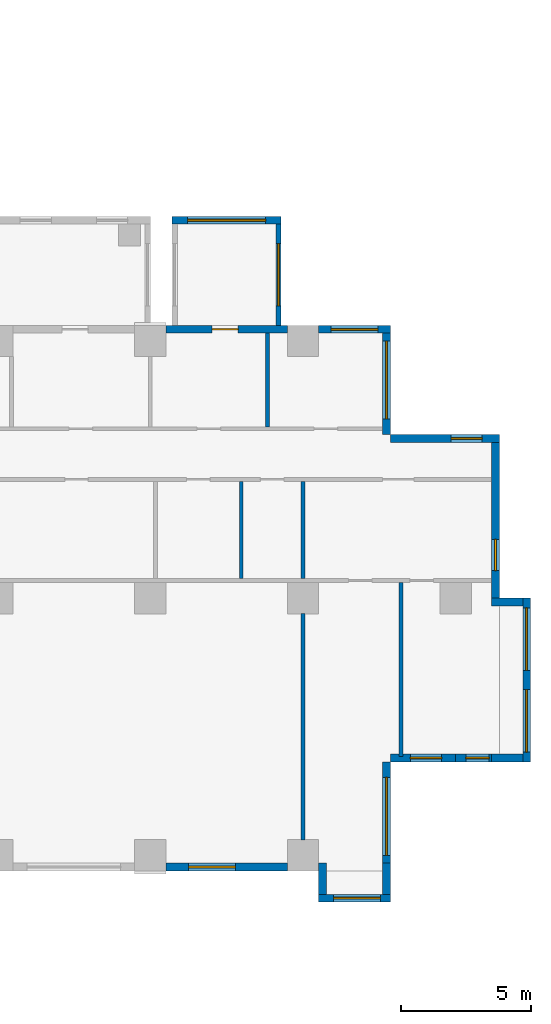
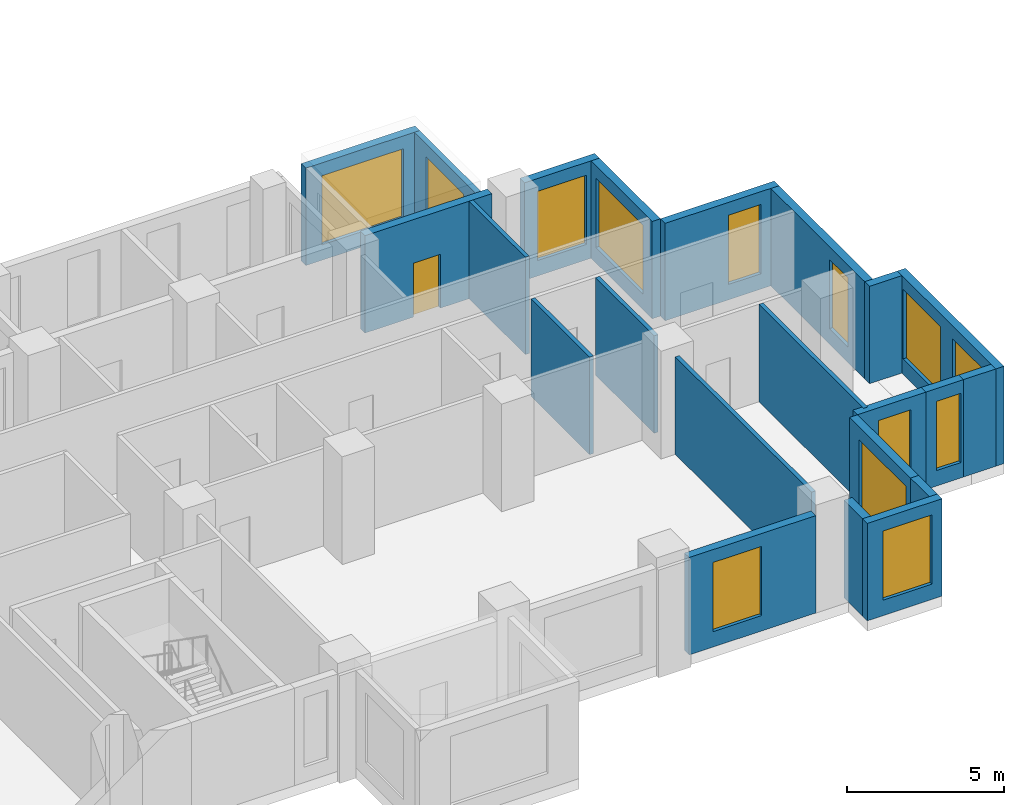
# One storey, part 9 of 14: 22 walls, 13 windows, 1 door, 14 openings.
"""IFC4 building model written with IfcOpenShell, lengths in metres."""

from ifc_helpers import new_model, si_unit, direction, frame, frame_2d, origin, place, context, subcontext, project, spatial, rectangle, extrude, source, transform, mapped, material, layer, layer_set, type_object, element, fill, save


model = new_model("IFC4")

# Units and contexts
model_context = context("Model", 3, precision=1e-05, world=origin(), true_north=direction((0.0, 1.0)))
body_context = subcontext(model_context, "Body", "Model", "MODEL_VIEW")
ifc_project = project(units=[si_unit("LENGTHUNIT", "METRE"), si_unit("AREAUNIT", "SQUARE_METRE"), si_unit("VOLUMEUNIT", "CUBIC_METRE"), si_unit("PLANEANGLEUNIT", "RADIAN"), si_unit("MASSUNIT", "GRAM", prefix="KILO")], contexts=[model_context])

# Site, building, storey
site_placement = place(None, origin())
site = spatial("IfcSite", under=ifc_project, at=site_placement, CompositionType="ELEMENT")
building_placement = place(site_placement, origin())
building = spatial("IfcBuilding", under=site, at=building_placement, Name="Aurelian Terraces", CompositionType="ELEMENT")
storey_placement = place(building_placement, frame((0.0, 0.0, 78.3)))
storey = spatial("IfcBuildingStorey", under=building, at=storey_placement, Name="L16", CompositionType="ELEMENT", Elevation=78.3)

# Wall, opening, window
ifc_material_1 = material(Name="Terracotta rainscreen cladding", Category="masonry")
ifc_layer_1 = layer(ifc_material_1, 0.3)
ifc_layer_set_1 = layer_set([ifc_layer_1], Name="EW-300")
wall_type_1 = type_object("IfcWallType", Name="EW-300", PredefinedType="STANDARD", material=ifc_layer_set_1)
shared_shape_1 = source(origin(), body_context, "Body", "SweptSolid", [
    extrude(rectangle(XDim=4.68, YDim=0.3, at=frame_2d((2.34, 0.0))), origin(), (0.0, 0.0, 1.0), 3.8),
])
wall_1_placement = place(storey_placement, frame((58.56, 0.15, 0.0), z_axis=(0.0, 0.0, 1.0), x_axis=(1.0, 0.0, 0.0)))
wall_1 = element("IfcWall", 1, at=wall_1_placement, inside=storey, type_object=wall_type_1, Name="External wall L16 F01.9", PredefinedType="STANDARD", context=body_context, shape_type="MappedRepresentation", body=[
    mapped(shared_shape_1, transform((0.0, 0.0, 0.0), scale=1.0)),
])
shared_shape_2 = source(origin(), body_context, "Body", "SweptSolid", [
    extrude(rectangle(XDim=1.8, YDim=2.7, at=frame_2d((0.9, 1.35))), frame((0.0, 0.16, 0.0), z_axis=(0.0, -1.0, 0.0), x_axis=(1.0, 0.0, 0.0)), (0.0, 0.0, 1.0), 0.32),
])
opening_1_placement = place(wall_1_placement, frame((0.8775, 0.0, 0.6)))
opening_1 = element("IfcOpeningElement", 2, at=opening_1_placement, cuts=wall_1, Name="Opening W1827", PredefinedType="OPENING", context=body_context, shape_type="MappedRepresentation", body=[
    mapped(shared_shape_2, transform((0.0, 0.0, 0.0), scale=1.0)),
])
ifc_material_2 = material(Name="Clear glazing", Category="glass")
window_type_1 = type_object("IfcWindowType", Name="W-1800x2700", PartitioningType="SINGLE_PANEL", PredefinedType="WINDOW", material=ifc_material_2)
shared_shape_3 = source(origin(), body_context, "Body", "SweptSolid", [
    extrude(rectangle(XDim=1.8, YDim=2.7, at=frame_2d((0.9, 1.35))), frame((0.0, 0.03, 0.0), z_axis=(0.0, -1.0, 0.0), x_axis=(1.0, 0.0, 0.0)), (0.0, 0.0, 1.0), 0.06),
])
window_1_placement = place(opening_1_placement, origin())
window_1 = element("IfcWindow", 3, at=window_1_placement, inside=storey, type_object=window_type_1, Name="Window L16 L16-F01-09-0", OverallHeight=2.7, OverallWidth=1.8, PartitioningType="SINGLE_PANEL", PredefinedType="WINDOW", context=body_context, shape_type="MappedRepresentation", body=[
    mapped(shared_shape_3, transform((0.0, 0.0, 0.0), scale=1.0)),
])
fill(opening_1, window_1)

# Wall, opening, door
wall_2_placement = place(storey_placement, frame((63.24, 20.85, 0.0), z_axis=(0.0, 0.0, 1.0), x_axis=(-1.0, 0.0, 0.0)))
wall_2 = element("IfcWall", 4, at=wall_2_placement, inside=storey, type_object=wall_type_1, Name="External wall L16 F07.18", PredefinedType="STANDARD", context=body_context, shape_type="MappedRepresentation", body=[
    mapped(shared_shape_1, transform((0.0, 0.0, 0.0), scale=1.0)),
])
shared_shape_4 = source(origin(), body_context, "Body", "SweptSolid", [
    extrude(rectangle(XDim=1.0, YDim=2.1, at=frame_2d((0.5, 1.05))), frame((0.0, 0.16, 0.0), z_axis=(0.0, -1.0, 0.0), x_axis=(1.0, 0.0, 0.0)), (0.0, 0.0, 1.0), 0.32),
])
opening_2_placement = place(wall_2_placement, frame((1.8983, 0.0, 0.0)))
opening_2 = element("IfcOpeningElement", 5, at=opening_2_placement, cuts=wall_2, Name="Opening 816002", PredefinedType="OPENING", context=body_context, shape_type="MappedRepresentation", body=[
    mapped(shared_shape_4, transform((0.0, 0.0, 0.0), scale=1.0)),
])
ifc_material_3 = material(Name="Timber door leaf", Category="wood")
door_type = type_object("IfcDoorType", Name="Room door 1000x2100 left", OperationType="SINGLE_SWING_LEFT", PredefinedType="DOOR", material=ifc_material_3)
shared_shape_5 = source(origin(), body_context, "Body", "SweptSolid", [
    extrude(rectangle(XDim=1.0, YDim=2.1, at=frame_2d((0.5, 1.05))), frame((0.0, 0.025, 0.0), z_axis=(0.0, -1.0, 0.0), x_axis=(1.0, 0.0, 0.0)), (0.0, 0.0, 1.0), 0.05),
])
door_placement = place(opening_2_placement, origin())
door = element("IfcDoor", 6, at=door_placement, inside=storey, type_object=door_type, Name="Door 816002", OperationType="SINGLE_SWING_LEFT", OverallHeight=2.1, OverallWidth=1.0, PredefinedType="DOOR", context=body_context, shape_type="MappedRepresentation", body=[
    mapped(shared_shape_5, transform((0.0, 0.0, 0.0), scale=1.0)),
])
fill(opening_2, door)

# Wall, opening, window
shared_shape_6 = source(origin(), body_context, "Body", "SweptSolid", [
    extrude(rectangle(XDim=4.2, YDim=0.3, at=frame_2d((2.1, 0.0))), origin(), (0.0, 0.0, 1.0), 3.8),
])
wall_3_placement = place(storey_placement, frame((67.05, 0.0, 0.0), z_axis=(0.0, 0.0, 1.0), x_axis=(0.0, 1.0, 0.0)))
wall_3 = element("IfcWall", 7, at=wall_3_placement, inside=storey, type_object=wall_type_1, Name="External wall L16 F02.11", PredefinedType="STANDARD", context=body_context, shape_type="MappedRepresentation", body=[
    mapped(shared_shape_6, transform((0.0, 0.0, 0.0), scale=1.0)),
])
shared_shape_7 = source(origin(), body_context, "Body", "SweptSolid", [
    extrude(rectangle(XDim=3.0, YDim=2.7, at=frame_2d((1.5, 1.35))), frame((0.0, 0.16, 0.0), z_axis=(0.0, -1.0, 0.0), x_axis=(1.0, 0.0, 0.0)), (0.0, 0.0, 1.0), 0.32),
])
opening_3_placement = place(wall_3_placement, frame((0.6, 0.0, 0.6)))
opening_3 = element("IfcOpeningElement", 8, at=opening_3_placement, cuts=wall_3, Name="Opening W3027", PredefinedType="OPENING", context=body_context, shape_type="MappedRepresentation", body=[
    mapped(shared_shape_7, transform((0.0, 0.0, 0.0), scale=1.0)),
])
window_type_2 = type_object("IfcWindowType", Name="W-3000x2700", PartitioningType="SINGLE_PANEL", PredefinedType="WINDOW", material=ifc_material_2)
shared_shape_8 = source(origin(), body_context, "Body", "SweptSolid", [
    extrude(rectangle(XDim=3.0, YDim=2.7, at=frame_2d((1.5, 1.35))), frame((0.0, 0.03, 0.0), z_axis=(0.0, -1.0, 0.0), x_axis=(1.0, 0.0, 0.0)), (0.0, 0.0, 1.0), 0.06),
])
window_2_placement = place(opening_3_placement, origin())
window_2 = element("IfcWindow", 9, at=window_2_placement, inside=storey, type_object=window_type_2, Name="Window L16 L16-F02-11-0", OverallHeight=2.7, OverallWidth=3.0, PartitioningType="SINGLE_PANEL", PredefinedType="WINDOW", context=body_context, shape_type="MappedRepresentation", body=[
    mapped(shared_shape_8, transform((0.0, 0.0, 0.0), scale=1.0)),
])
fill(opening_3, window_2)

wall_4_placement = place(storey_placement, frame((71.4, 16.65, 0.0), z_axis=(0.0, 0.0, 1.0), x_axis=(-1.0, 0.0, 0.0)))
wall_4 = element("IfcWall", 10, at=wall_4_placement, inside=storey, type_object=wall_type_1, Name="External wall L16 F05.16", PredefinedType="STANDARD", context=body_context, shape_type="MappedRepresentation", body=[
    mapped(shared_shape_6, transform((0.0, 0.0, 0.0), scale=1.0)),
])
shared_shape_9 = source(origin(), body_context, "Body", "SweptSolid", [
    extrude(rectangle(XDim=1.2, YDim=2.7, at=frame_2d((0.6, 1.35))), frame((0.0, 0.16, 0.0), z_axis=(0.0, -1.0, 0.0), x_axis=(1.0, 0.0, 0.0)), (0.0, 0.0, 1.0), 0.32),
])
opening_4_placement = place(wall_4_placement, frame((0.66, 0.0, 0.6)))
opening_4 = element("IfcOpeningElement", 11, at=opening_4_placement, cuts=wall_4, Name="Opening W1227", PredefinedType="OPENING", context=body_context, shape_type="MappedRepresentation", body=[
    mapped(shared_shape_9, transform((0.0, 0.0, 0.0), scale=1.0)),
])
window_type_3 = type_object("IfcWindowType", Name="W-1200x2700", PartitioningType="SINGLE_PANEL", PredefinedType="WINDOW", material=ifc_material_2)
shared_shape_10 = source(origin(), body_context, "Body", "SweptSolid", [
    extrude(rectangle(XDim=1.2, YDim=2.7, at=frame_2d((0.6, 1.35))), frame((0.0, 0.03, 0.0), z_axis=(0.0, -1.0, 0.0), x_axis=(1.0, 0.0, 0.0)), (0.0, 0.0, 1.0), 0.06),
])
window_3_placement = place(opening_4_placement, origin())
window_3 = element("IfcWindow", 12, at=window_3_placement, inside=storey, type_object=window_type_3, Name="Window L16 L16-F05-16-0", OverallHeight=2.7, OverallWidth=1.2, PartitioningType="SINGLE_PANEL", PredefinedType="WINDOW", context=body_context, shape_type="MappedRepresentation", body=[
    mapped(shared_shape_10, transform((0.0, 0.0, 0.0), scale=1.0)),
])
fill(opening_4, window_3)

wall_5_placement = place(storey_placement, frame((67.05, 16.8, 0.0), z_axis=(0.0, 0.0, 1.0), x_axis=(0.0, 1.0, 0.0)))
wall_5 = element("IfcWall", 13, at=wall_5_placement, inside=storey, type_object=wall_type_1, Name="External wall L16 F06.17", PredefinedType="STANDARD", context=body_context, shape_type="MappedRepresentation", body=[
    mapped(shared_shape_6, transform((0.0, 0.0, 0.0), scale=1.0)),
])
opening_5_placement = place(wall_5_placement, frame((0.6, 0.0, 0.6)))
opening_5 = element("IfcOpeningElement", 14, at=opening_5_placement, cuts=wall_5, Name="Opening W3027", PredefinedType="OPENING", context=body_context, shape_type="MappedRepresentation", body=[
    mapped(shared_shape_7, transform((0.0, 0.0, 0.0), scale=1.0)),
])
window_4_placement = place(opening_5_placement, origin())
window_4 = element("IfcWindow", 15, at=window_4_placement, inside=storey, type_object=window_type_2, Name="Window L16 L16-F06-17-0", OverallHeight=2.7, OverallWidth=3.0, PartitioningType="SINGLE_PANEL", PredefinedType="WINDOW", context=body_context, shape_type="MappedRepresentation", body=[
    mapped(shared_shape_8, transform((0.0, 0.0, 0.0), scale=1.0)),
])
fill(opening_5, window_4)

shared_shape_11 = source(origin(), body_context, "Body", "SweptSolid", [
    extrude(rectangle(XDim=2.76, YDim=0.3, at=frame_2d((1.38, 0.0))), origin(), (0.0, 0.0, 1.0), 3.8),
])
wall_6_placement = place(storey_placement, frame((64.44, -1.05, 0.0), z_axis=(0.0, 0.0, 1.0), x_axis=(1.0, 0.0, 0.0)))
wall_6 = element("IfcWall", 16, at=wall_6_placement, inside=storey, type_object=wall_type_1, Name="Bay wall L16 F01.10", PredefinedType="STANDARD", context=body_context, shape_type="MappedRepresentation", body=[
    mapped(shared_shape_11, transform((0.0, 0.0, 0.0), scale=1.0)),
])
opening_6_placement = place(wall_6_placement, frame((0.58, 0.0, 0.6)))
opening_6 = element("IfcOpeningElement", 17, at=opening_6_placement, cuts=wall_6, Name="Opening W1827", PredefinedType="OPENING", context=body_context, shape_type="MappedRepresentation", body=[
    mapped(shared_shape_2, transform((0.0, 0.0, 0.0), scale=1.0)),
])
window_5_placement = place(opening_6_placement, origin())
window_5 = element("IfcWindow", 18, at=window_5_placement, inside=storey, type_object=window_type_1, Name="Window L16 L16-F01-10-0", OverallHeight=2.7, OverallWidth=1.8, PartitioningType="SINGLE_PANEL", PredefinedType="WINDOW", context=body_context, shape_type="MappedRepresentation", body=[
    mapped(shared_shape_3, transform((0.0, 0.0, 0.0), scale=1.0)),
])
fill(opening_6, window_5)

wall_7_placement = place(storey_placement, frame((67.2, 20.85, 0.0), z_axis=(0.0, 0.0, 1.0), x_axis=(-1.0, 0.0, 0.0)))
wall_7 = element("IfcWall", 19, at=wall_7_placement, inside=storey, type_object=wall_type_1, Name="External wall L16 F07.18", PredefinedType="STANDARD", context=body_context, shape_type="MappedRepresentation", body=[
    mapped(shared_shape_11, transform((0.0, 0.0, 0.0), scale=1.0)),
])
opening_7_placement = place(wall_7_placement, frame((0.48, 0.0, 0.6)))
opening_7 = element("IfcOpeningElement", 20, at=opening_7_placement, cuts=wall_7, Name="Opening W1827", PredefinedType="OPENING", context=body_context, shape_type="MappedRepresentation", body=[
    mapped(shared_shape_2, transform((0.0, 0.0, 0.0), scale=1.0)),
])
window_6_placement = place(opening_7_placement, origin())
window_6 = element("IfcWindow", 21, at=window_6_placement, inside=storey, type_object=window_type_1, Name="Window L16 L16-F07-18-P0", OverallHeight=2.7, OverallWidth=1.8, PartitioningType="SINGLE_PANEL", PredefinedType="WINDOW", context=body_context, shape_type="MappedRepresentation", body=[
    mapped(shared_shape_3, transform((0.0, 0.0, 0.0), scale=1.0)),
])
fill(opening_7, window_6)

# Walls
shared_shape_12 = source(origin(), body_context, "Body", "SweptSolid", [
    extrude(rectangle(XDim=1.2, YDim=0.3, at=frame_2d((0.6, 0.0))), origin(), (0.0, 0.0, 1.0), 3.8),
])
for number, where, z_axis, x_axis, name in (
    (22, (64.59, 0.3, 0.0), (0.0, 0.0, 1.0), (0.0, -1.0, 0.0), "Bay return L16 F01.10.1"),
    (23, (67.05, 0.3, 0.0), (0.0, 0.0, 1.0), (0.0, -1.0, 0.0), "Bay return L16 F01.10.2"),
    (24, (71.1, 4.35, 0.0), (0.0, 0.0, 1.0), (1.0, 0.0, 0.0), "Bay return L16 F04.14.1"),
    (25, (71.1, 10.35, 0.0), (0.0, 0.0, 1.0), (1.0, 0.0, 0.0), "Bay return L16 F04.14.2"),
):
    element("IfcWall", number, at=place(storey_placement, frame(where, z_axis=z_axis, x_axis=x_axis)), inside=storey, type_object=wall_type_1, Name=name, PredefinedType="STANDARD", context=body_context, shape_type="MappedRepresentation", body=[
        mapped(shared_shape_12, transform((0.0, 0.0, 0.0), scale=1.0)),
    ])

# Wall, opening, window
shared_shape_13 = source(origin(), body_context, "Body", "SweptSolid", [
    extrude(rectangle(XDim=2.52, YDim=0.3, at=frame_2d((1.26, 0.0))), origin(), (0.0, 0.0, 1.0), 3.8),
])
wall_8_placement = place(storey_placement, frame((67.2, 4.35, 0.0), z_axis=(0.0, 0.0, 1.0), x_axis=(1.0, 0.0, 0.0)))
wall_8 = element("IfcWall", 26, at=wall_8_placement, inside=storey, type_object=wall_type_1, Name="External wall L16 F03.12", PredefinedType="STANDARD", context=body_context, shape_type="MappedRepresentation", body=[
    mapped(shared_shape_13, transform((0.0, 0.0, 0.0), scale=1.0)),
])
opening_8_placement = place(wall_8_placement, frame((0.7775, 0.0, 0.6)))
opening_8 = element("IfcOpeningElement", 27, at=opening_8_placement, cuts=wall_8, Name="Opening W1227", PredefinedType="OPENING", context=body_context, shape_type="MappedRepresentation", body=[
    mapped(shared_shape_9, transform((0.0, 0.0, 0.0), scale=1.0)),
])
window_7_placement = place(opening_8_placement, origin())
window_7 = element("IfcWindow", 28, at=window_7_placement, inside=storey, type_object=window_type_3, Name="Window L16 L16-F03-12-P0", OverallHeight=2.7, OverallWidth=1.2, PartitioningType="SINGLE_PANEL", PredefinedType="WINDOW", context=body_context, shape_type="MappedRepresentation", body=[
    mapped(shared_shape_10, transform((0.0, 0.0, 0.0), scale=1.0)),
])
fill(opening_8, window_7)

shared_shape_14 = source(origin(), body_context, "Body", "SweptSolid", [
    extrude(rectangle(XDim=1.68, YDim=0.3, at=frame_2d((0.84, 0.0))), origin(), (0.0, 0.0, 1.0), 3.8),
])
wall_9_placement = place(storey_placement, frame((69.72, 4.35, 0.0), z_axis=(0.0, 0.0, 1.0), x_axis=(1.0, 0.0, 0.0)))
wall_9 = element("IfcWall", 29, at=wall_9_placement, inside=storey, type_object=wall_type_1, Name="External wall L16 F03.13", PredefinedType="STANDARD", context=body_context, shape_type="MappedRepresentation", body=[
    mapped(shared_shape_14, transform((0.0, 0.0, 0.0), scale=1.0)),
])
shared_shape_15 = source(origin(), body_context, "Body", "SweptSolid", [
    extrude(rectangle(XDim=0.9, YDim=2.7, at=frame_2d((0.45, 1.35))), frame((0.0, 0.16, 0.0), z_axis=(0.0, -1.0, 0.0), x_axis=(1.0, 0.0, 0.0)), (0.0, 0.0, 1.0), 0.32),
])
opening_9_placement = place(wall_9_placement, frame((0.39, 0.0, 0.6)))
opening_9 = element("IfcOpeningElement", 30, at=opening_9_placement, cuts=wall_9, Name="Opening W0927", PredefinedType="OPENING", context=body_context, shape_type="MappedRepresentation", body=[
    mapped(shared_shape_15, transform((0.0, 0.0, 0.0), scale=1.0)),
])
window_type_4 = type_object("IfcWindowType", Name="W-900x2700", PartitioningType="SINGLE_PANEL", PredefinedType="WINDOW", material=ifc_material_2)
shared_shape_16 = source(origin(), body_context, "Body", "SweptSolid", [
    extrude(rectangle(XDim=0.9, YDim=2.7, at=frame_2d((0.45, 1.35))), frame((0.0, 0.03, 0.0), z_axis=(0.0, -1.0, 0.0), x_axis=(1.0, 0.0, 0.0)), (0.0, 0.0, 1.0), 0.06),
])
window_8_placement = place(opening_9_placement, origin())
window_8 = element("IfcWindow", 31, at=window_8_placement, inside=storey, type_object=window_type_4, Name="Window L16 L16-F03-13-P0", OverallHeight=2.7, OverallWidth=0.9, PartitioningType="SINGLE_PANEL", PredefinedType="WINDOW", context=body_context, shape_type="MappedRepresentation", body=[
    mapped(shared_shape_16, transform((0.0, 0.0, 0.0), scale=1.0)),
])
fill(opening_9, window_8)

# Wall, openings, windows
shared_shape_17 = source(origin(), body_context, "Body", "SweptSolid", [
    extrude(rectangle(XDim=6.3, YDim=0.3, at=frame_2d((3.15, 0.0))), origin(), (0.0, 0.0, 1.0), 3.8),
])
wall_10_placement = place(storey_placement, frame((72.45, 4.2, 0.0), z_axis=(0.0, 0.0, 1.0), x_axis=(0.0, 1.0, 0.0)))
wall_10 = element("IfcWall", 32, at=wall_10_placement, inside=storey, type_object=wall_type_1, Name="Bay wall L16 F04.14", PredefinedType="STANDARD", context=body_context, shape_type="MappedRepresentation", body=[
    mapped(shared_shape_17, transform((0.0, 0.0, 0.0), scale=1.0)),
])
shared_shape_18 = source(origin(), body_context, "Body", "SweptSolid", [
    extrude(rectangle(XDim=2.4, YDim=2.7, at=frame_2d((1.2, 1.35))), frame((0.0, 0.16, 0.0), z_axis=(0.0, -1.0, 0.0), x_axis=(1.0, 0.0, 0.0)), (0.0, 0.0, 1.0), 0.32),
])
opening_10_placement = place(wall_10_placement, frame((0.375, 0.0, 0.6)))
opening_10 = element("IfcOpeningElement", 33, at=opening_10_placement, cuts=wall_10, Name="Opening W2427", PredefinedType="OPENING", context=body_context, shape_type="MappedRepresentation", body=[
    mapped(shared_shape_18, transform((0.0, 0.0, 0.0), scale=1.0)),
])
opening_11_placement = place(wall_10_placement, frame((3.525, 0.0, 0.6)))
opening_11 = element("IfcOpeningElement", 34, at=opening_11_placement, cuts=wall_10, Name="Opening W2427", PredefinedType="OPENING", context=body_context, shape_type="MappedRepresentation", body=[
    mapped(shared_shape_18, transform((0.0, 0.0, 0.0), scale=1.0)),
])
window_type_5 = type_object("IfcWindowType", Name="W-2400x2700", PartitioningType="SINGLE_PANEL", PredefinedType="WINDOW", material=ifc_material_2)
shared_shape_19 = source(origin(), body_context, "Body", "SweptSolid", [
    extrude(rectangle(XDim=2.4, YDim=2.7, at=frame_2d((1.2, 1.35))), frame((0.0, 0.03, 0.0), z_axis=(0.0, -1.0, 0.0), x_axis=(1.0, 0.0, 0.0)), (0.0, 0.0, 1.0), 0.06),
])
window_9_placement = place(opening_10_placement, origin())
window_9 = element("IfcWindow", 35, at=window_9_placement, inside=storey, type_object=window_type_5, Name="Window L16 L16-F04-14-0", OverallHeight=2.7, OverallWidth=2.4, PartitioningType="SINGLE_PANEL", PredefinedType="WINDOW", context=body_context, shape_type="MappedRepresentation", body=[
    mapped(shared_shape_19, transform((0.0, 0.0, 0.0), scale=1.0)),
])
fill(opening_10, window_9)
window_10_placement = place(opening_11_placement, origin())
window_10 = element("IfcWindow", 36, at=window_10_placement, inside=storey, type_object=window_type_5, Name="Window L16 L16-F04-14-1", OverallHeight=2.7, OverallWidth=2.4, PartitioningType="SINGLE_PANEL", PredefinedType="WINDOW", context=body_context, shape_type="MappedRepresentation", body=[
    mapped(shared_shape_19, transform((0.0, 0.0, 0.0), scale=1.0)),
])
fill(opening_11, window_10)

# Wall, opening, window
wall_11_placement = place(storey_placement, frame((71.25, 10.5, 0.0), z_axis=(0.0, 0.0, 1.0), x_axis=(0.0, 1.0, 0.0)))
wall_11 = element("IfcWall", 37, at=wall_11_placement, inside=storey, type_object=wall_type_1, Name="External wall L16 F04.15", PredefinedType="STANDARD", context=body_context, shape_type="MappedRepresentation", body=[
    mapped(shared_shape_17, transform((0.0, 0.0, 0.0), scale=1.0)),
])
opening_12_placement = place(wall_11_placement, frame((1.0625, 0.0, 0.6)))
opening_12 = element("IfcOpeningElement", 38, at=opening_12_placement, cuts=wall_11, Name="Opening W1227", PredefinedType="OPENING", context=body_context, shape_type="MappedRepresentation", body=[
    mapped(shared_shape_9, transform((0.0, 0.0, 0.0), scale=1.0)),
])
window_11_placement = place(opening_12_placement, origin())
window_11 = element("IfcWindow", 39, at=window_11_placement, inside=storey, type_object=window_type_3, Name="Window L16 L16-F04-15-0", OverallHeight=2.7, OverallWidth=1.2, PartitioningType="SINGLE_PANEL", PredefinedType="WINDOW", context=body_context, shape_type="MappedRepresentation", body=[
    mapped(shared_shape_10, transform((0.0, 0.0, 0.0), scale=1.0)),
])
fill(opening_12, window_11)

ifc_material_4 = material(Name="Concrete fc' 40 MPa", Category="concrete")
ifc_layer_2 = layer(ifc_material_4, 0.2)
ifc_layer_set_2 = layer_set([ifc_layer_2], Name="BOX BEARING WALL 200")
wall_type_2 = type_object("IfcWallType", Name="BOX BEARING WALL 200", PredefinedType="SOLIDWALL", material=ifc_layer_set_2)
shared_shape_20 = source(origin(), body_context, "Body", "SweptSolid", [
    extrude(rectangle(XDim=3.9, YDim=0.2, at=frame_2d((1.95, 0.0))), origin(), (0.0, 0.0, 1.0), 3.8),
])
wall_12_placement = place(storey_placement, frame((62.9, 21.0, 0.0), z_axis=(0.0, 0.0, 1.0), x_axis=(0.0, 1.0, 0.0)))
wall_12 = element("IfcWall", 40, at=wall_12_placement, inside=storey, type_object=wall_type_2, Name="Box return L16 J17.1", PredefinedType="SOLIDWALL", context=body_context, shape_type="MappedRepresentation", body=[
    mapped(shared_shape_20, transform((0.0, 0.0, 0.0), scale=1.0)),
])
shared_shape_21 = source(origin(), body_context, "Body", "SweptSolid", [
    extrude(rectangle(XDim=2.4, YDim=2.7, at=frame_2d((1.2, 1.35))), frame((0.0, 0.11, 0.0), z_axis=(0.0, -1.0, 0.0), x_axis=(1.0, 0.0, 0.0)), (0.0, 0.0, 1.0), 0.22),
])
opening_13_placement = place(wall_12_placement, frame((0.75, 0.0, 0.6)))
opening_13 = element("IfcOpeningElement", 41, at=opening_13_placement, cuts=wall_12, Name="Opening W2427", PredefinedType="OPENING", context=body_context, shape_type="MappedRepresentation", body=[
    mapped(shared_shape_21, transform((0.0, 0.0, 0.0), scale=1.0)),
])
window_12_placement = place(opening_13_placement, origin())
window_12 = element("IfcWindow", 42, at=window_12_placement, inside=storey, type_object=window_type_5, Name="Window L16 J17-S1", OverallHeight=2.7, OverallWidth=2.4, PartitioningType="SINGLE_PANEL", PredefinedType="WINDOW", context=body_context, shape_type="MappedRepresentation", body=[
    mapped(shared_shape_19, transform((0.0, 0.0, 0.0), scale=1.0)),
])
fill(opening_13, window_12)

ifc_layer_3 = layer(ifc_material_4, 0.3)
ifc_layer_set_3 = layer_set([ifc_layer_3], Name="BOX BEARING WALL 300")
wall_type_3 = type_object("IfcWallType", Name="BOX BEARING WALL 300", PredefinedType="SOLIDWALL", material=ifc_layer_set_3)
shared_shape_22 = source(origin(), body_context, "Body", "SweptSolid", [
    extrude(rectangle(XDim=4.2, YDim=0.3, at=frame_2d((2.1, 0.0))), origin(), (0.0, 0.0, 1.0), 3.8),
])
wall_13_placement = place(storey_placement, frame((63.0, 25.05, 0.0), z_axis=(0.0, 0.0, 1.0), x_axis=(-1.0, 0.0, 0.0)))
wall_13 = element("IfcWall", 43, at=wall_13_placement, inside=storey, type_object=wall_type_3, Name="Box wall L16 J17", PredefinedType="SOLIDWALL", context=body_context, shape_type="MappedRepresentation", body=[
    mapped(shared_shape_22, transform((0.0, 0.0, 0.0), scale=1.0)),
])
opening_14_placement = place(wall_13_placement, frame((0.6, 0.0, 0.6)))
opening_14 = element("IfcOpeningElement", 44, at=opening_14_placement, cuts=wall_13, Name="Opening W3027", PredefinedType="OPENING", context=body_context, shape_type="MappedRepresentation", body=[
    mapped(shared_shape_7, transform((0.0, 0.0, 0.0), scale=1.0)),
])
window_13_placement = place(opening_14_placement, origin())
window_13 = element("IfcWindow", 45, at=window_13_placement, inside=storey, type_object=window_type_2, Name="Window L16 J17-F1", OverallHeight=2.7, OverallWidth=3.0, PartitioningType="SINGLE_PANEL", PredefinedType="WINDOW", context=body_context, shape_type="MappedRepresentation", body=[
    mapped(shared_shape_8, transform((0.0, 0.0, 0.0), scale=1.0)),
])
fill(opening_14, window_13)

# Walls
ifc_material_5 = material(Name="Gypsum board on steel studs", Category="steel")
ifc_layer_4 = layer(ifc_material_5, 0.15)
ifc_layer_set_4 = layer_set([ifc_layer_4], Name="Partition 150")
wall_type_4 = type_object("IfcWallType", Name="Partition 150", PredefinedType="PARTITIONING", material=ifc_layer_set_4)
shared_shape_23 = source(origin(), body_context, "Body", "SweptSolid", [
    extrude(rectangle(XDim=3.75, YDim=0.15, at=frame_2d((1.875, 0.0))), origin(), (0.0, 0.0, 1.0), 3.8),
])
for number, where, z_axis, x_axis, name in (
    (46, (61.4619, 11.25, 0.0), (0.0, 0.0, 1.0), (0.0, 1.0, 0.0), "Partition"),
    (47, (63.84, 11.25, 0.0), (0.0, 0.0, 1.0), (0.0, 1.0, 0.0), "Partition"),
):
    element("IfcWall", number, at=place(storey_placement, frame(where, z_axis=z_axis, x_axis=x_axis)), inside=storey, type_object=wall_type_4, Name=name, PredefinedType="PARTITIONING", context=body_context, shape_type="MappedRepresentation", body=[
        mapped(shared_shape_23, transform((0.0, 0.0, 0.0), scale=1.0)),
    ])
shared_shape_24 = source(origin(), body_context, "Body", "SweptSolid", [
    extrude(rectangle(XDim=8.702, YDim=0.15, at=frame_2d((4.351, 0.0))), origin(), (0.0, 0.0, 1.0), 3.8),
])
wall_14_placement = place(storey_placement, frame((63.84, 1.199, 0.0), z_axis=(0.0, 0.0, 1.0), x_axis=(0.0, 1.0, 0.0)))
element("IfcWall", 48, at=wall_14_placement, inside=storey, type_object=wall_type_4, Name="Partition", PredefinedType="PARTITIONING", context=body_context, shape_type="MappedRepresentation", body=[
    mapped(shared_shape_24, transform((0.0, 0.0, 0.0), scale=1.0)),
])
shared_shape_25 = source(origin(), body_context, "Body", "SweptSolid", [
    extrude(rectangle(XDim=3.6, YDim=0.15, at=frame_2d((1.8, 0.0))), origin(), (0.0, 0.0, 1.0), 3.8),
])
wall_15_placement = place(storey_placement, frame((62.4675, 20.7, 0.0), z_axis=(0.0, 0.0, 1.0), x_axis=(0.0, -1.0, 0.0)))
element("IfcWall", 49, at=wall_15_placement, inside=storey, type_object=wall_type_4, Name="Partition", PredefinedType="PARTITIONING", context=body_context, shape_type="MappedRepresentation", body=[
    mapped(shared_shape_25, transform((0.0, 0.0, 0.0), scale=1.0)),
])
shared_shape_26 = source(origin(), body_context, "Body", "SweptSolid", [
    extrude(rectangle(XDim=6.695, YDim=0.15, at=frame_2d((3.3475, 0.0))), origin(), (0.0, 0.0, 1.0), 3.8),
])
wall_16_placement = place(storey_placement, frame((67.62, 4.405, 0.0), z_axis=(0.0, 0.0, 1.0), x_axis=(0.0, 1.0, 0.0)))
element("IfcWall", 50, at=wall_16_placement, inside=storey, type_object=wall_type_4, Name="Partition", PredefinedType="PARTITIONING", context=body_context, shape_type="MappedRepresentation", body=[
    mapped(shared_shape_26, transform((0.0, 0.0, 0.0), scale=1.0)),
])

save(model, "model.ifc")
